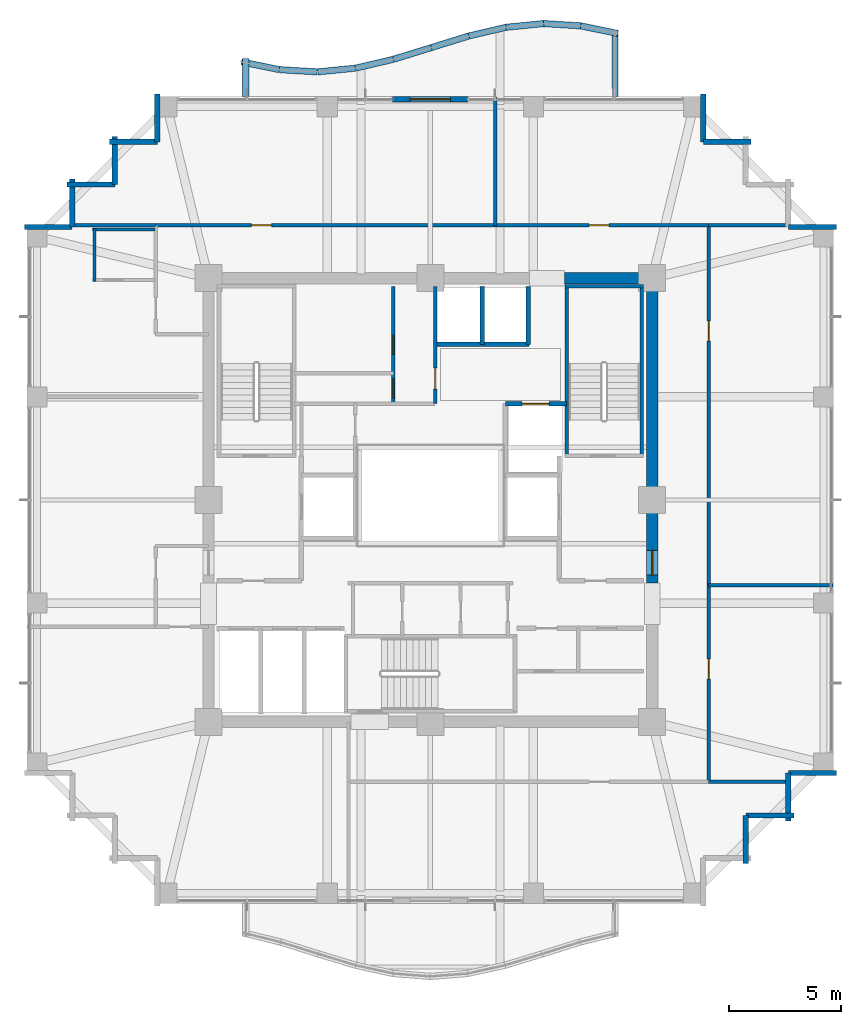
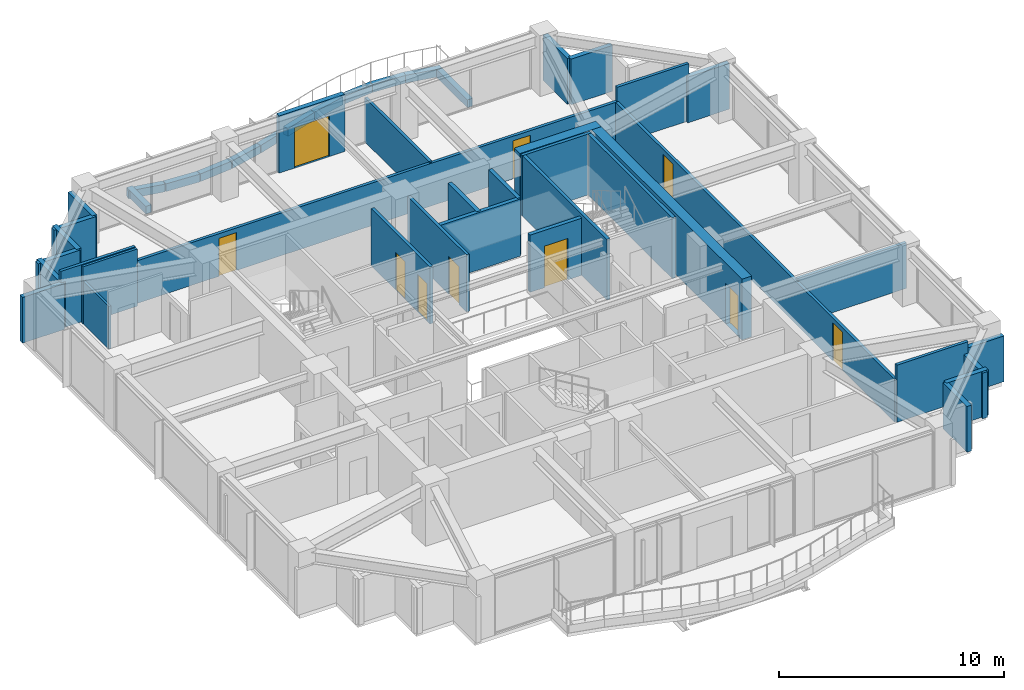
# One storey, part 28 of 31: 46 walls, 10 doors, 10 openings.
"""IFC4 building model written with IfcOpenShell, lengths in metres."""

from ifc_helpers import new_model, si_unit, direction, frame, frame_2d, origin, place, context, subcontext, project, spatial, rectangle, extrude, material, layer, layer_set, type_object, element, fill, save


model = new_model("IFC4")

# Units and contexts
model_context = context("Model", 3, precision=1e-05, world=origin(), true_north=direction((0.0, 1.0)))
body_context = subcontext(model_context, "Body", "Model", "MODEL_VIEW")
ifc_project = project(units=[si_unit("LENGTHUNIT", "METRE"), si_unit("AREAUNIT", "SQUARE_METRE"), si_unit("VOLUMEUNIT", "CUBIC_METRE"), si_unit("PLANEANGLEUNIT", "RADIAN"), si_unit("MASSUNIT", "GRAM", prefix="KILO")], contexts=[model_context])

# Site, building, storey
site_placement = place(None, origin())
site = spatial("IfcSite", under=ifc_project, at=site_placement, CompositionType="ELEMENT")
building_placement = place(site_placement, origin())
building = spatial("IfcBuilding", under=site, at=building_placement, Name="Kolvaren Belvedere", CompositionType="ELEMENT")
storey_placement = place(building_placement, frame((0.0, 0.0, 134.89990234375)))
storey = spatial("IfcBuildingStorey", under=building, at=storey_placement, Name="L39", CompositionType="ELEMENT", Elevation=134.89990234375)

# Wall
ifc_material_1 = material(Name="Concrete C50/60", Category="concrete")
ifc_layer_1 = layer(ifc_material_1, 0.5)
ifc_layer_set_1 = layer_set([ifc_layer_1], Name="Concrete C50/60")
wall_type_1 = type_object("IfcWallType", Name="CW-CORE-500", PredefinedType="SHEAR", material=ifc_layer_set_1)
wall_1_placement = place(storey_placement, frame((5.97998046875, 9.89990234375, 0.0), z_axis=(0.0, 0.0, 1.0), x_axis=(1.0, 0.0, 0.0)))
element("IfcWall", 1, at=wall_1_placement, inside=storey, type_object=wall_type_1, Name="L39 North Core Shear Wall 2", PredefinedType="SHEAR", context=body_context, shape_type="SweptSolid", body=[
    extrude(rectangle(XDim=4.169921875, YDim=0.5, at=frame_2d((2.0849609375, 0.0))), origin(), (0.0, 0.0, 1.0), 3.300048828125),
])

# Wall, opening, door
wall_2_placement = place(storey_placement, frame((9.89990234375, -3.699951171875, 0.0), z_axis=(0.0, 0.0, 1.0), x_axis=(0.0, 1.0, 0.0)))
wall_2 = element("IfcWall", 2, at=wall_2_placement, inside=storey, type_object=wall_type_1, Name="L39 East Core Shear Wall 2", PredefinedType="SHEAR", context=body_context, shape_type="SweptSolid", body=[
    extrude(rectangle(XDim=13.349853515625, YDim=0.5, at=frame_2d((6.6748046875, 0.0))), origin(), (0.0, 0.0, 1.0), 3.300048828125),
])
opening_1_placement = place(wall_2_placement, frame((0.35009765625, 0.0, 0.0)))
opening_1 = element("IfcOpeningElement", 3, at=opening_1_placement, cuts=wall_2, Name="Opening D-FD90", PredefinedType="OPENING", context=body_context, shape_type="SweptSolid", body=[
    extrude(rectangle(XDim=1.10009765625, YDim=2.199951171875, at=frame_2d((0.550048828125, 1.10009765625))), frame((0.0, 0.260009765625, 0.0), z_axis=(0.0, -1.0, 0.0), x_axis=(1.0, 0.0, 0.0)), (0.0, 0.0, 1.0), 0.52001953125),
])
ifc_material_2 = material(Name="Painted hollow stainless steel", Category="steel")
door_type_1 = type_object("IfcDoorType", Name="DR-FD90-1100", OperationType="NOTDEFINED", PredefinedType="DOOR", material=ifc_material_2)
door_1_placement = place(opening_1_placement, origin())
door_1 = element("IfcDoor", 4, at=door_1_placement, inside=storey, type_object=door_type_1, Name="L39 East Firefighting Lobby Fire Door", OperationType="SINGLE_SWING_RIGHT", OverallHeight=2.199951171875, OverallWidth=1.10009765625, PredefinedType="DOOR", context=body_context, shape_type="SweptSolid", body=[
    extrude(rectangle(XDim=1.10009765625, YDim=2.199951171875, at=frame_2d((0.550048828125, 1.10009765625))), frame((0.0, 0.02490234375, 0.0), z_axis=(0.0, -1.0, 0.0), x_axis=(1.0, 0.0, 0.0)), (0.0, 0.0, 1.0), 0.050048828125),
])
fill(opening_1, door_1)

# Walls
ifc_material_3 = material(Name="Concrete C50/60", Category="concrete")
ifc_layer_2 = layer(ifc_material_3, 0.159912109375)
ifc_layer_set_2 = layer_set([ifc_layer_2], Name="Concrete C50/60")
wall_type_2 = type_object("IfcWallType", Name="CW-STAIR-160", PredefinedType="SHEAR", material=ifc_layer_set_2)
wall_3_placement = place(storey_placement, frame((6.0, 9.530029296875, 0.0), z_axis=(0.0, 0.0, 1.0), x_axis=(1.0, 0.0, 0.0)))
element("IfcWall", 5, at=wall_3_placement, inside=storey, type_object=wall_type_2, Name="L39 Stair ST-2 North Shear Wall", PredefinedType="SHEAR", context=body_context, shape_type="SweptSolid", body=[
    extrude(rectangle(XDim=3.52001953125, YDim=0.159912109375, at=frame_2d((1.760009765625, 0.0))), origin(), (0.0, 0.0, 1.0), 3.300048828125),
])
for number, where, z_axis, x_axis, name in (
    (6, (6.080078125, 1.969970703125, 0.0), (0.0, 0.0, 1.0), (0.0, 1.0, 0.0), "L39 Stair ST-2 West Shear Wall"),
    (7, (9.429931640625, 1.969970703125, 0.0), (0.0, 0.0, 1.0), (0.0, 1.0, 0.0), "L39 Stair ST-2 East Shear Wall"),
):
    element("IfcWall", number, at=place(storey_placement, frame(where, z_axis=z_axis, x_axis=x_axis)), inside=storey, type_object=wall_type_2, Name=name, PredefinedType="SHEAR", context=body_context, shape_type="SweptSolid", body=[
        extrude(rectangle(XDim=7.56005859375, YDim=0.159912109375, at=frame_2d((3.780029296875, 0.0))), origin(), (0.0, 0.0, 1.0), 3.300048828125),
    ])

# Wall, openings, doors
ifc_material_4 = material(Name="Gypsum fire-rated partition assembly", Category="gypsum")
ifc_layer_3 = layer(ifc_material_4, 0.14990234375)
ifc_layer_set_3 = layer_set([ifc_layer_3], Name="Gypsum fire-rated partition assembly")
wall_type_3 = type_object("IfcWallType", Name="WL-CORR-150", PredefinedType="PARTITIONING", material=ifc_layer_set_3)
wall_4_placement = place(storey_placement, frame((-12.260009765625, 12.260009765625, 0.0), z_axis=(0.0, 0.0, 1.0), x_axis=(1.0, 0.0, 0.0)))
wall_4 = element("IfcWall", 8, at=wall_4_placement, inside=storey, type_object=wall_type_3, Name="L39 North Corridor Wall", PredefinedType="PARTITIONING", context=body_context, shape_type="SweptSolid", body=[
    extrude(rectangle(XDim=24.679931640625, YDim=0.14990234375, at=frame_2d((12.33984375, 0.0))), origin(), (0.0, 0.0, 1.0), 2.31201171875),
])
opening_2_placement = place(wall_4_placement, frame((4.27490234375, 0.0, 0.0)))
opening_2 = element("IfcOpeningElement", 9, at=opening_2_placement, cuts=wall_4, Name="Opening D-INT90", PredefinedType="OPENING", context=body_context, shape_type="SweptSolid", body=[
    extrude(rectangle(XDim=0.89990234375, YDim=2.06005859375, at=frame_2d((0.449951171875, 1.030029296875))), frame((0.0, 0.0849609375, 0.0), z_axis=(0.0, -1.0, 0.0), x_axis=(1.0, 0.0, 0.0)), (0.0, 0.0, 1.0), 0.169921875),
])
opening_3_placement = place(wall_4_placement, frame((19.344970703125, 0.0, 0.0)))
opening_3 = element("IfcOpeningElement", 10, at=opening_3_placement, cuts=wall_4, Name="Opening D-INT90", PredefinedType="OPENING", context=body_context, shape_type="SweptSolid", body=[
    extrude(rectangle(XDim=0.89990234375, YDim=2.06005859375, at=frame_2d((0.449951171875, 1.030029296875))), frame((0.0, 0.0849609375, 0.0), z_axis=(0.0, -1.0, 0.0), x_axis=(1.0, 0.0, 0.0)), (0.0, 0.0, 1.0), 0.169921875),
])
ifc_material_5 = material(Name="Stained Pacific white oak", Category="timber")
door_type_2 = type_object("IfcDoorType", Name="DR-INT-900", OperationType="NOTDEFINED", PredefinedType="DOOR", material=ifc_material_5)
door_2_placement = place(opening_2_placement, origin())
door_2 = element("IfcDoor", 11, at=door_2_placement, inside=storey, type_object=door_type_2, Name="L39 Lounge 3901 Door", OperationType="SINGLE_SWING_LEFT", OverallHeight=2.06005859375, OverallWidth=0.89990234375, PredefinedType="DOOR", context=body_context, shape_type="SweptSolid", body=[
    extrude(rectangle(XDim=0.89990234375, YDim=2.06005859375, at=frame_2d((0.449951171875, 1.030029296875))), frame((0.0, 0.02490234375, 0.0), z_axis=(0.0, -1.0, 0.0), x_axis=(1.0, 0.0, 0.0)), (0.0, 0.0, 1.0), 0.050048828125),
])
fill(opening_2, door_2)
door_3_placement = place(opening_3_placement, origin())
door_3 = element("IfcDoor", 12, at=door_3_placement, inside=storey, type_object=door_type_2, Name="L39 Guest Tea & Espresso Kitchen 3902 Door", OperationType="SINGLE_SWING_RIGHT", OverallHeight=2.06005859375, OverallWidth=0.89990234375, PredefinedType="DOOR", context=body_context, shape_type="SweptSolid", body=[
    extrude(rectangle(XDim=0.89990234375, YDim=2.06005859375, at=frame_2d((0.449951171875, 1.030029296875))), frame((0.0, 0.02490234375, 0.0), z_axis=(0.0, -1.0, 0.0), x_axis=(1.0, 0.0, 0.0)), (0.0, 0.0, 1.0), 0.050048828125),
])
fill(opening_3, door_3)

wall_5_placement = place(storey_placement, frame((12.419921875, -12.580078125, 0.0), z_axis=(0.0, 0.0, 1.0), x_axis=(0.0, 1.0, 0.0)))
wall_5 = element("IfcWall", 13, at=wall_5_placement, inside=storey, type_object=wall_type_3, Name="L39 East Corridor Wall", PredefinedType="PARTITIONING", context=body_context, shape_type="SweptSolid", body=[
    extrude(rectangle(XDim=24.840087890625, YDim=0.14990234375, at=frame_2d((12.419921875, 0.0))), origin(), (0.0, 0.0, 1.0), 2.31201171875),
])
opening_4_placement = place(wall_5_placement, frame((4.594970703125, 0.0, 0.0)))
opening_4 = element("IfcOpeningElement", 14, at=opening_4_placement, cuts=wall_5, Name="Opening D-INT90", PredefinedType="OPENING", context=body_context, shape_type="SweptSolid", body=[
    extrude(rectangle(XDim=0.89990234375, YDim=2.06005859375, at=frame_2d((0.449951171875, 1.030029296875))), frame((0.0, 0.0849609375, 0.0), z_axis=(0.0, -1.0, 0.0), x_axis=(1.0, 0.0, 0.0)), (0.0, 0.0, 1.0), 0.169921875),
])
opening_5_placement = place(wall_5_placement, frame((19.6650390625, 0.0, 0.0)))
opening_5 = element("IfcOpeningElement", 15, at=opening_5_placement, cuts=wall_5, Name="Opening D-INT90", PredefinedType="OPENING", context=body_context, shape_type="SweptSolid", body=[
    extrude(rectangle(XDim=0.89990234375, YDim=2.06005859375, at=frame_2d((0.449951171875, 1.030029296875))), frame((0.0, 0.0849609375, 0.0), z_axis=(0.0, -1.0, 0.0), x_axis=(1.0, 0.0, 0.0)), (0.0, 0.0, 1.0), 0.169921875),
])
door_4_placement = place(opening_4_placement, origin())
door_4 = element("IfcDoor", 16, at=door_4_placement, inside=storey, type_object=door_type_2, Name="L39 Private Hospitality Meeting Room 3903 Door", OperationType="SINGLE_SWING_LEFT", OverallHeight=2.06005859375, OverallWidth=0.89990234375, PredefinedType="DOOR", context=body_context, shape_type="SweptSolid", body=[
    extrude(rectangle(XDim=0.89990234375, YDim=2.06005859375, at=frame_2d((0.449951171875, 1.030029296875))), frame((0.0, 0.02490234375, 0.0), z_axis=(0.0, -1.0, 0.0), x_axis=(1.0, 0.0, 0.0)), (0.0, 0.0, 1.0), 0.050048828125),
])
fill(opening_4, door_4)
door_5_placement = place(opening_5_placement, origin())
door_5 = element("IfcDoor", 17, at=door_5_placement, inside=storey, type_object=door_type_2, Name="L39 Botanical Reading Salon 3904 Door", OperationType="SINGLE_SWING_RIGHT", OverallHeight=2.06005859375, OverallWidth=0.89990234375, PredefinedType="DOOR", context=body_context, shape_type="SweptSolid", body=[
    extrude(rectangle(XDim=0.89990234375, YDim=2.06005859375, at=frame_2d((0.449951171875, 1.030029296875))), frame((0.0, 0.02490234375, 0.0), z_axis=(0.0, -1.0, 0.0), x_axis=(1.0, 0.0, 0.0)), (0.0, 0.0, 1.0), 0.050048828125),
])
fill(opening_5, door_5)

# Walls
ifc_material_6 = material(Name="Insulated pale-metal facade wall assembly", Category="aluminium")
ifc_layer_4 = layer(ifc_material_6, 0.239990234375)
ifc_layer_set_4 = layer_set([ifc_layer_4], Name="Insulated pale-metal facade wall assembly")
wall_type_4 = type_object("IfcWallType", Name="WL-EXT-240", PredefinedType="STANDARD", material=ifc_layer_set_4)
for number, where, z_axis, x_axis, name in (
    (18, (14.080078125, -14.080078125, 0.0), (0.0, 0.0, 1.0), (0.0, -1.0, 0.0), "L39 Serrated Corner Facade Wall 4"),
    (19, (16.219970703125, -14.080078125, 0.0), (0.0, 0.0, 1.0), (-1.0, 0.0, 0.0), "L39 Serrated Corner Facade Wall 5"),
):
    element("IfcWall", number, at=place(storey_placement, frame(where, z_axis=z_axis, x_axis=x_axis)), inside=storey, type_object=wall_type_4, Name=name, PredefinedType="STANDARD", context=body_context, shape_type="SweptSolid", body=[
        extrude(rectangle(XDim=2.139892578125, YDim=0.239990234375, at=frame_2d((1.06982421875, 0.0))), origin(), (0.0, 0.0, 1.0), 2.47900390625),
    ])
for number, where, z_axis, x_axis, name in (
    (20, (15.97998046875, -12.179931640625, 0.0), (0.0, 0.0, 1.0), (0.0, -1.0, 0.0), "L39 Serrated Corner Facade Wall 6"),
    (21, (18.1201171875, -12.179931640625, 0.0), (0.0, 0.0, 1.0), (-1.0, 0.0, 0.0), "L39 Serrated Corner Facade Wall 7"),
    (22, (15.97998046875, 12.179931640625, 0.0), (0.0, 0.0, 1.0), (1.0, 0.0, 0.0), "L39 Serrated Corner Facade Wall 9"),
    (23, (12.179931640625, 15.97998046875, 0.0), (0.0, 0.0, 1.0), (1.0, 0.0, 0.0), "L39 Serrated Corner Facade Wall 13"),
    (24, (12.179931640625, 18.1201171875, 0.0), (0.0, 0.0, 1.0), (0.0, -1.0, 0.0), "L39 Serrated Corner Facade Wall 14"),
):
    element("IfcWall", number, at=place(storey_placement, frame(where, z_axis=z_axis, x_axis=x_axis)), inside=storey, type_object=wall_type_4, Name=name, PredefinedType="STANDARD", context=body_context, shape_type="SweptSolid", body=[
        extrude(rectangle(XDim=2.14013671875, YDim=0.239990234375, at=frame_2d((1.070068359375, 0.0))), origin(), (0.0, 0.0, 1.0), 2.47900390625),
    ])

# Wall, opening, door
wall_6_placement = place(storey_placement, frame((-1.679931640625, 17.8798828125, 0.0), z_axis=(0.0, 0.0, 1.0), x_axis=(1.0, 0.0, 0.0)))
wall_6 = element("IfcWall", 25, at=wall_6_placement, inside=storey, type_object=wall_type_4, Name="L39 North Terrace Portal Wall", PredefinedType="STANDARD", context=body_context, shape_type="SweptSolid", body=[
    extrude(rectangle(XDim=3.35986328125, YDim=0.239990234375, at=frame_2d((1.679931640625, 0.0))), origin(), (0.0, 0.0, 1.0), 3.10009765625),
])
opening_6_placement = place(wall_6_placement, frame((0.780029296875, 0.0, 0.0)))
opening_6 = element("IfcOpeningElement", 26, at=opening_6_placement, cuts=wall_6, Name="Opening DB-1800", PredefinedType="OPENING", context=body_context, shape_type="SweptSolid", body=[
    extrude(rectangle(XDim=1.800048828125, YDim=2.199951171875, at=frame_2d((0.89990234375, 1.10009765625))), frame((0.0, 0.1298828125, 0.0), z_axis=(0.0, -1.0, 0.0), x_axis=(1.0, 0.0, 0.0)), (0.0, 0.0, 1.0), 0.260009765625),
])
ifc_material_7 = material(Name="Thermally broken pale-metal aluminium & low-iron glass", Category="aluminium")
door_type_3 = type_object("IfcDoorType", Name="DR-BAL-1800", OperationType="DOUBLE_DOOR_SLIDING", PredefinedType="DOOR", material=ifc_material_7)
door_6_placement = place(opening_6_placement, origin())
door_6 = element("IfcDoor", 27, at=door_6_placement, inside=storey, type_object=door_type_3, Name="L39 North Planted Terrace Sliding Door", OperationType="DOUBLE_DOOR_SLIDING", OverallHeight=2.199951171875, OverallWidth=1.800048828125, PredefinedType="DOOR", context=body_context, shape_type="SweptSolid", body=[
    extrude(rectangle(XDim=1.800048828125, YDim=2.199951171875, at=frame_2d((0.89990234375, 1.10009765625))), frame((0.0, 0.02490234375, 0.0), z_axis=(0.0, -1.0, 0.0), x_axis=(1.0, 0.0, 0.0)), (0.0, 0.0, 1.0), 0.050048828125),
])
fill(opening_6, door_6)

# Walls
for number, where, z_axis, x_axis, name in (
    (28, (-12.179931640625, 15.97998046875, 0.0), (0.0, 0.0, 1.0), (0.0, 1.0, 0.0), "L39 Serrated Corner Facade Wall 16"),
    (29, (-14.320068359375, 15.97998046875, 0.0), (0.0, 0.0, 1.0), (1.0, 0.0, 0.0), "L39 Serrated Corner Facade Wall 17"),
):
    element("IfcWall", number, at=place(storey_placement, frame(where, z_axis=z_axis, x_axis=x_axis)), inside=storey, type_object=wall_type_4, Name=name, PredefinedType="STANDARD", context=body_context, shape_type="SweptSolid", body=[
        extrude(rectangle(XDim=2.14013671875, YDim=0.239990234375, at=frame_2d((1.070068359375, 0.0))), origin(), (0.0, 0.0, 1.0), 2.47900390625),
    ])
for number, where, z_axis, x_axis, name in (
    (30, (-14.080078125, 14.080078125, 0.0), (0.0, 0.0, 1.0), (0.0, 1.0, 0.0), "L39 Serrated Corner Facade Wall 18"),
    (31, (-16.219970703125, 14.080078125, 0.0), (0.0, 0.0, 1.0), (1.0, 0.0, 0.0), "L39 Serrated Corner Facade Wall 19"),
):
    element("IfcWall", number, at=place(storey_placement, frame(where, z_axis=z_axis, x_axis=x_axis)), inside=storey, type_object=wall_type_4, Name=name, PredefinedType="STANDARD", context=body_context, shape_type="SweptSolid", body=[
        extrude(rectangle(XDim=2.139892578125, YDim=0.239990234375, at=frame_2d((1.06982421875, 0.0))), origin(), (0.0, 0.0, 1.0), 2.47900390625),
    ])
for number, where, z_axis, x_axis, name in (
    (32, (-15.97998046875, 12.179931640625, 0.0), (0.0, 0.0, 1.0), (0.0, 1.0, 0.0), "L39 Serrated Corner Facade Wall 20"),
    (33, (-18.1201171875, 12.179931640625, 0.0), (0.0, 0.0, 1.0), (1.0, 0.0, 0.0), "L39 Serrated Corner Facade Wall 21"),
):
    element("IfcWall", number, at=place(storey_placement, frame(where, z_axis=z_axis, x_axis=x_axis)), inside=storey, type_object=wall_type_4, Name=name, PredefinedType="STANDARD", context=body_context, shape_type="SweptSolid", body=[
        extrude(rectangle(XDim=2.14013671875, YDim=0.239990234375, at=frame_2d((1.070068359375, 0.0))), origin(), (0.0, 0.0, 1.0), 2.47900390625),
    ])

# Wall, opening, door
ifc_material_8 = material(Name="Gypsum acoustic partition assembly", Category="gypsum")
ifc_layer_5 = layer(ifc_material_8, 0.14990234375)
ifc_layer_set_5 = layer_set([ifc_layer_5], Name="Gypsum acoustic partition assembly")
wall_type_5 = type_object("IfcWallType", Name="WL-PART-150", PredefinedType="PARTITIONING", material=ifc_layer_set_5)
wall_7_placement = place(storey_placement, frame((0.219970703125, 4.300048828125, 0.0), z_axis=(0.0, 0.0, 1.0), x_axis=(0.0, 1.0, 0.0)))
wall_7 = element("IfcWall", 34, at=wall_7_placement, inside=storey, type_object=wall_type_5, Name="L39 Reclaimed Salon East Wall", PredefinedType="PARTITIONING", context=body_context, shape_type="SweptSolid", body=[
    extrude(rectangle(XDim=5.219970703125, YDim=0.14990234375, at=frame_2d((2.60986328125, 0.0))), origin(), (0.0, 0.0, 1.0), 3.10009765625),
])
opening_7_placement = place(wall_7_placement, frame((0.64990234375, 0.0, 0.0)))
opening_7 = element("IfcOpeningElement", 35, at=opening_7_placement, cuts=wall_7, Name="Opening D-INT95", PredefinedType="OPENING", context=body_context, shape_type="SweptSolid", body=[
    extrude(rectangle(XDim=0.949951171875, YDim=2.06005859375, at=frame_2d((0.47509765625, 1.030029296875))), frame((0.0, 0.0849609375, 0.0), z_axis=(0.0, -1.0, 0.0), x_axis=(1.0, 0.0, 0.0)), (0.0, 0.0, 1.0), 0.169921875),
])
ifc_material_9 = material(Name="Stained Pacific white oak", Category="timber")
door_type_4 = type_object("IfcDoorType", Name="DR-INT-950", OperationType="NOTDEFINED", PredefinedType="DOOR", material=ifc_material_9)
door_7_placement = place(opening_7_placement, origin())
door_7 = element("IfcDoor", 36, at=door_7_placement, inside=storey, type_object=door_type_4, Name="L39 Wellness Tearoom Door", OperationType="SINGLE_SWING_LEFT", OverallHeight=2.06005859375, OverallWidth=0.949951171875, PredefinedType="DOOR", context=body_context, shape_type="SweptSolid", body=[
    extrude(rectangle(XDim=0.949951171875, YDim=2.06005859375, at=frame_2d((0.47509765625, 1.030029296875))), frame((0.0, 0.02490234375, 0.0), z_axis=(0.0, -1.0, 0.0), x_axis=(1.0, 0.0, 0.0)), (0.0, 0.0, 1.0), 0.050048828125),
])
fill(opening_7, door_7)

# Wall, openings, doors
wall_8_placement = place(storey_placement, frame((-1.64990234375, 4.300048828125, 0.0), z_axis=(0.0, 0.0, 1.0), x_axis=(0.0, 1.0, 0.0)))
wall_8 = element("IfcWall", 37, at=wall_8_placement, inside=storey, type_object=wall_type_5, Name="L39 Reclaimed Tearoom V-Divider", PredefinedType="PARTITIONING", context=body_context, shape_type="SweptSolid", body=[
    extrude(rectangle(XDim=5.219970703125, YDim=0.14990234375, at=frame_2d((2.60986328125, 0.0))), origin(), (0.0, 0.0, 1.0), 3.10009765625),
])
opening_8_placement = place(wall_8_placement, frame((2.199951171875, 0.0, 0.0)))
opening_8 = element("IfcOpeningElement", 38, at=opening_8_placement, cuts=wall_8, Name="Opening D-INT85", PredefinedType="OPENING", context=body_context, shape_type="SweptSolid", body=[
    extrude(rectangle(XDim=0.85009765625, YDim=2.030029296875, at=frame_2d((0.425048828125, 1.01513671875))), frame((0.0, 0.0849609375, 0.0), z_axis=(0.0, -1.0, 0.0), x_axis=(1.0, 0.0, 0.0)), (0.0, 0.0, 1.0), 0.169921875),
])
opening_9_placement = place(wall_8_placement, frame((0.25, 0.0, 0.0)))
opening_9 = element("IfcOpeningElement", 39, at=opening_9_placement, cuts=wall_8, Name="Opening D-INT85", PredefinedType="OPENING", context=body_context, shape_type="SweptSolid", body=[
    extrude(rectangle(XDim=0.85009765625, YDim=2.030029296875, at=frame_2d((0.425048828125, 1.01513671875))), frame((0.0, 0.0849609375, 0.0), z_axis=(0.0, -1.0, 0.0), x_axis=(1.0, 0.0, 0.0)), (0.0, 0.0, 1.0), 0.169921875),
])
ifc_material_10 = material(Name="Stained Pacific white oak", Category="timber")
door_type_5 = type_object("IfcDoorType", Name="DR-INT-850", OperationType="NOTDEFINED", PredefinedType="DOOR", material=ifc_material_10)
door_8_placement = place(opening_8_placement, origin())
door_8 = element("IfcDoor", 40, at=door_8_placement, inside=storey, type_object=door_type_5, Name="L39 Meditation Room Door", OperationType="SINGLE_SWING_RIGHT", OverallHeight=2.030029296875, OverallWidth=0.85009765625, PredefinedType="DOOR", context=body_context, shape_type="SweptSolid", body=[
    extrude(rectangle(XDim=0.85009765625, YDim=2.030029296875, at=frame_2d((0.425048828125, 1.01513671875))), frame((0.0, 0.02490234375, 0.0), z_axis=(0.0, -1.0, 0.0), x_axis=(1.0, 0.0, 0.0)), (0.0, 0.0, 1.0), 0.050048828125),
])
fill(opening_8, door_8)
door_9_placement = place(opening_9_placement, origin())
door_9 = element("IfcDoor", 41, at=door_9_placement, inside=storey, type_object=door_type_5, Name="L39 Herbal Closet Door", OperationType="SINGLE_SWING_RIGHT", OverallHeight=2.030029296875, OverallWidth=0.85009765625, PredefinedType="DOOR", context=body_context, shape_type="SweptSolid", body=[
    extrude(rectangle(XDim=0.85009765625, YDim=2.030029296875, at=frame_2d((0.425048828125, 1.01513671875))), frame((0.0, 0.02490234375, 0.0), z_axis=(0.0, -1.0, 0.0), x_axis=(1.0, 0.0, 0.0)), (0.0, 0.0, 1.0), 0.050048828125),
])
fill(opening_9, door_9)

# Walls
wall_9_placement = place(storey_placement, frame((12.419921875, -12.580078125, 0.0), z_axis=(0.0, 0.0, 1.0), x_axis=(1.0, 0.0, 0.0)))
element("IfcWall", 42, at=wall_9_placement, inside=storey, type_object=wall_type_5, Name="L39 Wing Divider PW-L39-QSE", PredefinedType="PARTITIONING", context=body_context, shape_type="SweptSolid", body=[
    extrude(rectangle(XDim=3.66015625, YDim=0.14990234375, at=frame_2d((1.830078125, 0.0))), origin(), (0.0, 0.0, 1.0), 3.10009765625),
])
wall_10_placement = place(storey_placement, frame((-16.09619140625, 12.260009765625, 0.0), z_axis=(0.0, 0.0, 1.0), x_axis=(1.0, 0.0, 0.0)))
element("IfcWall", 43, at=wall_10_placement, inside=storey, type_object=wall_type_5, Name="L39 Wing Divider PW-L39-QNW", PredefinedType="PARTITIONING", context=body_context, shape_type="SweptSolid", body=[
    extrude(rectangle(XDim=3.836181640625, YDim=0.14990234375, at=frame_2d((1.91796875, 0.0))), origin(), (0.0, 0.0, 1.0), 3.10009765625),
])
wall_11_placement = place(storey_placement, frame((12.419921875, 12.260009765625, 0.0), z_axis=(0.0, 0.0, 1.0), x_axis=(1.0, 0.0, 0.0)))
element("IfcWall", 44, at=wall_11_placement, inside=storey, type_object=wall_type_5, Name="L39 Wing Divider PW-L39-QNE", PredefinedType="PARTITIONING", context=body_context, shape_type="SweptSolid", body=[
    extrude(rectangle(XDim=3.67626953125, YDim=0.14990234375, at=frame_2d((1.838134765625, 0.0))), origin(), (0.0, 0.0, 1.0), 3.10009765625),
])
wall_12_placement = place(storey_placement, frame((2.89990234375, 12.260009765625, 0.0), z_axis=(0.0, 0.0, 1.0), x_axis=(0.0, 1.0, 0.0)))
element("IfcWall", 45, at=wall_12_placement, inside=storey, type_object=wall_type_5, Name="L39 North Suite Demising Wall 1", PredefinedType="PARTITIONING", context=body_context, shape_type="SweptSolid", body=[
    extrude(rectangle(XDim=5.719970703125, YDim=0.14990234375, at=frame_2d((2.85986328125, 0.0))), origin(), (0.0, 0.0, 1.0), 2.38916015625),
])
wall_13_placement = place(storey_placement, frame((12.419921875, -3.800048828125, 0.0), z_axis=(0.0, 0.0, 1.0), x_axis=(1.0, 0.0, 0.0)))
element("IfcWall", 46, at=wall_13_placement, inside=storey, type_object=wall_type_5, Name="L39 East Suite Demising Wall 1", PredefinedType="PARTITIONING", context=body_context, shape_type="SweptSolid", body=[
    extrude(rectangle(XDim=5.56005859375, YDim=0.14990234375, at=frame_2d((2.780029296875, 0.0))), origin(), (0.0, 0.0, 1.0), 2.468994140625),
])
ifc_material_11 = material(Name="Precast concrete C40/50", Category="concrete")
ifc_layer_6 = layer(ifc_material_11, 0.300048828125)
ifc_layer_set_6 = layer_set([ifc_layer_6], Name="Precast concrete C40/50")
wall_type_6 = type_object("IfcWallType", Name="WL-PLANTER-300", PredefinedType="PARAPET", material=ifc_layer_set_6)
wall_14_placement = place(storey_placement, frame((8.239990234375, 18.0, -0.02001953125), z_axis=(0.0, 0.0, 1.0), x_axis=(0.0, 1.0, 0.0)))
element("IfcWall", 47, at=wall_14_placement, inside=storey, type_object=wall_type_6, Name="L39 Precast Structural Planter Wall BAL-N-11", PredefinedType="PARAPET", context=body_context, shape_type="SweptSolid", body=[
    extrude(rectangle(XDim=2.974853515625, YDim=0.280029296875, at=frame_2d((1.4873046875, 0.0))), origin(), (0.0, 0.0, 1.0), 0.420166015625),
])
wall_15_placement = place(storey_placement, frame((8.367919921875, 20.818115234375, -0.02001953125), z_axis=(0.0, 0.0, 1.0), x_axis=(-0.979867779516, 0.199647526069, 0.0)))
element("IfcWall", 48, at=wall_15_placement, inside=storey, type_object=wall_type_6, Name="L39 Precast Structural Planter Wall BAL-N-12", PredefinedType="PARAPET", context=body_context, shape_type="SweptSolid", body=[
    extrude(rectangle(XDim=1.71435546875, YDim=0.280029296875, at=frame_2d((0.857177734375, 0.0))), origin(), (0.0, 0.0, 1.0), 0.420166015625),
])
wall_16_placement = place(storey_placement, frame((6.710205078125, 21.157470703125, -0.02001953125), z_axis=(0.0, 0.0, 1.0), x_axis=(-0.998133560666, 0.061068773295, 0.0)))
element("IfcWall", 49, at=wall_16_placement, inside=storey, type_object=wall_type_6, Name="L39 Precast Structural Planter Wall BAL-N-13", PredefinedType="PARAPET", context=body_context, shape_type="SweptSolid", body=[
    extrude(rectangle(XDim=1.68310546875, YDim=0.280029296875, at=frame_2d((0.841552734375, 0.0))), origin(), (0.0, 0.0, 1.0), 0.420166015625),
])
wall_17_placement = place(storey_placement, frame((5.055908203125, 21.2607421875, -0.02001953125), z_axis=(0.0, 0.0, 1.0), x_axis=(-0.995038621856, -0.099489401517, 0.0)))
element("IfcWall", 50, at=wall_17_placement, inside=storey, type_object=wall_type_6, Name="L39 Precast Structural Planter Wall BAL-N-14", PredefinedType="PARAPET", context=body_context, shape_type="SweptSolid", body=[
    extrude(rectangle(XDim=1.688232421875, YDim=0.280029296875, at=frame_2d((0.84423828125, 0.0))), origin(), (0.0, 0.0, 1.0), 0.420166015625),
])
wall_18_placement = place(storey_placement, frame((3.396240234375, 21.09619140625, -0.02001953125), z_axis=(0.0, 0.0, 1.0), x_axis=(-0.973890253884, -0.227019323824, 0.0)))
element("IfcWall", 51, at=wall_18_placement, inside=storey, type_object=wall_type_6, Name="L39 Precast Structural Planter Wall BAL-N-15", PredefinedType="PARAPET", context=body_context, shape_type="SweptSolid", body=[
    extrude(rectangle(XDim=1.724853515625, YDim=0.280029296875, at=frame_2d((0.8623046875, 0.0))), origin(), (0.0, 0.0, 1.0), 0.420166015625),
])
wall_19_placement = place(storey_placement, frame((1.727294921875, 20.70751953125, -0.02001953125), z_axis=(0.0, 0.0, 1.0), x_axis=(-0.95524013163, -0.295831524561, 0.0)))
element("IfcWall", 52, at=wall_19_placement, inside=storey, type_object=wall_type_6, Name="L39 Precast Structural Planter Wall BAL-N-16", PredefinedType="PARAPET", context=body_context, shape_type="SweptSolid", body=[
    extrude(rectangle(XDim=1.758544921875, YDim=0.280029296875, at=frame_2d((0.87939453125, 0.0))), origin(), (0.0, 0.0, 1.0), 0.420166015625),
])
wall_20_placement = place(storey_placement, frame((0.04736328125, 20.187255859375, -0.02001953125), z_axis=(0.0, 0.0, 1.0), x_axis=(-0.955252278476, -0.29579229954, 0.0)))
element("IfcWall", 53, at=wall_20_placement, inside=storey, type_object=wall_type_6, Name="L39 Precast Structural Planter Wall BAL-N-17", PredefinedType="PARAPET", context=body_context, shape_type="SweptSolid", body=[
    extrude(rectangle(XDim=1.7587890625, YDim=0.280029296875, at=frame_2d((0.87939453125, 0.0))), origin(), (0.0, 0.0, 1.0), 0.420166015625),
])
wall_21_placement = place(storey_placement, frame((-1.643798828125, 19.663818359375, -0.02001953125), z_axis=(0.0, 0.0, 1.0), x_axis=(-0.973890253884, -0.227019323824, 0.0)))
element("IfcWall", 54, at=wall_21_placement, inside=storey, type_object=wall_type_6, Name="L39 Precast Structural Planter Wall BAL-N-18", PredefinedType="PARAPET", context=body_context, shape_type="SweptSolid", body=[
    extrude(rectangle(XDim=1.724853515625, YDim=0.280029296875, at=frame_2d((0.8623046875, 0.0))), origin(), (0.0, 0.0, 1.0), 0.420166015625),
])
wall_22_placement = place(storey_placement, frame((-3.34423828125, 19.268798828125, -0.02001953125), z_axis=(0.0, 0.0, 1.0), x_axis=(-0.995153897624, -0.098329649867, 0.0)))
element("IfcWall", 55, at=wall_22_placement, inside=storey, type_object=wall_type_6, Name="L39 Precast Structural Planter Wall BAL-N-19", PredefinedType="PARAPET", context=body_context, shape_type="SweptSolid", body=[
    extrude(rectangle(XDim=1.6884765625, YDim=0.280029296875, at=frame_2d((0.84423828125, 0.0))), origin(), (0.0, 0.0, 1.0), 0.420166015625),
])
wall_23_placement = place(storey_placement, frame((-5.049560546875, 19.102294921875, -0.02001953125), z_axis=(0.0, 0.0, 1.0), x_axis=(-0.998203631072, 0.059912527196, 0.0)))
element("IfcWall", 56, at=wall_23_placement, inside=storey, type_object=wall_type_6, Name="L39 Precast Structural Planter Wall BAL-N-20", PredefinedType="PARAPET", context=body_context, shape_type="SweptSolid", body=[
    extrude(rectangle(XDim=1.682861328125, YDim=0.280029296875, at=frame_2d((0.84130859375, 0.0))), origin(), (0.0, 0.0, 1.0), 0.420166015625),
])
wall_24_placement = place(storey_placement, frame((-6.751953125, 19.2060546875, -0.02001953125), z_axis=(0.0, 0.0, 1.0), x_axis=(-0.979867779516, 0.199647526069, 0.0)))
element("IfcWall", 57, at=wall_24_placement, inside=storey, type_object=wall_type_6, Name="L39 Precast Structural Planter Wall BAL-N-21", PredefinedType="PARAPET", context=body_context, shape_type="SweptSolid", body=[
    extrude(rectangle(XDim=1.71435546875, YDim=0.280029296875, at=frame_2d((0.857177734375, 0.0))), origin(), (0.0, 0.0, 1.0), 0.420166015625),
])
wall_25_placement = place(storey_placement, frame((-8.239990234375, 19.705078125, -0.02001953125), z_axis=(0.0, 0.0, 1.0), x_axis=(0.0, -1.0, 0.0)))
element("IfcWall", 58, at=wall_25_placement, inside=storey, type_object=wall_type_6, Name="L39 Precast Structural Planter Wall BAL-N-22", PredefinedType="PARAPET", context=body_context, shape_type="SweptSolid", body=[
    extrude(rectangle(XDim=1.705078125, YDim=0.280029296875, at=frame_2d((0.8525390625, 0.0))), origin(), (0.0, 0.0, 1.0), 0.420166015625),
])

# Wall, opening, door
ifc_material_12 = material(Name="Concrete C50/60", Category="concrete")
ifc_layer_7 = layer(ifc_material_12, 0.199951171875)
ifc_layer_set_7 = layer_set([ifc_layer_7], Name="Concrete C50/60")
wall_type_7 = type_object("IfcWallType", Name="WL-SHAFT-200", PredefinedType="SOLIDWALL", material=ifc_layer_set_7)
wall_26_placement = place(storey_placement, frame((3.35009765625, 4.300048828125, 0.0), z_axis=(0.0, 0.0, 1.0), x_axis=(1.0, 0.0, 0.0)))
wall_26 = element("IfcWall", 59, at=wall_26_placement, inside=storey, type_object=wall_type_7, Name="L39 Service Lift SV1 Front Wall", PredefinedType="SOLIDWALL", context=body_context, shape_type="SweptSolid", body=[
    extrude(rectangle(XDim=2.72998046875, YDim=0.199951171875, at=frame_2d((1.364990234375, 0.0))), origin(), (0.0, 0.0, 1.0), 3.10009765625),
])
opening_10_placement = place(wall_26_placement, frame((0.75, 0.0, 0.0)))
opening_10 = element("IfcOpeningElement", 60, at=opening_10_placement, cuts=wall_26, Name="Opening LD-12", PredefinedType="OPENING", context=body_context, shape_type="SweptSolid", body=[
    extrude(rectangle(XDim=1.199951171875, YDim=2.25, at=frame_2d((0.60009765625, 1.125))), frame((0.0, 0.10986328125, 0.0), z_axis=(0.0, -1.0, 0.0), x_axis=(1.0, 0.0, 0.0)), (0.0, 0.0, 1.0), 0.219970703125),
])
ifc_material_13 = material(Name="Brushed stainless steel", Category="steel")
door_type_6 = type_object("IfcDoorType", Name="DR-LIFT-1200", OperationType="DOUBLE_DOOR_SLIDING", PredefinedType="DOOR", material=ifc_material_13)
door_10_placement = place(opening_10_placement, origin())
door_10 = element("IfcDoor", 61, at=door_10_placement, inside=storey, type_object=door_type_6, Name="L39 Service Lift SV1 Landing Door", OperationType="DOUBLE_DOOR_SLIDING", OverallHeight=2.25, OverallWidth=1.199951171875, PredefinedType="DOOR", context=body_context, shape_type="SweptSolid", body=[
    extrude(rectangle(XDim=1.199951171875, YDim=2.25, at=frame_2d((0.60009765625, 1.125))), frame((0.0, 0.02490234375, 0.0), z_axis=(0.0, -1.0, 0.0), x_axis=(1.0, 0.0, 0.0)), (0.0, 0.0, 1.0), 0.050048828125),
])
fill(opening_10, door_10)

# Walls
wall_27_placement = place(storey_placement, frame((0.219970703125, 6.949951171875, 0.0), z_axis=(0.0, 0.0, 1.0), x_axis=(1.0, 0.0, 0.0)))
element("IfcWall", 62, at=wall_27_placement, inside=storey, type_object=wall_type_7, Name="L39 Express Shuttle Hoistway Wall", PredefinedType="SOLIDWALL", context=body_context, shape_type="SweptSolid", body=[
    extrude(rectangle(XDim=4.179931640625, YDim=0.199951171875, at=frame_2d((2.08984375, 0.0))), origin(), (0.0, 0.0, 1.0), 3.10009765625),
])
for number, where, z_axis, x_axis, name in (
    (63, (4.3798828125, 6.949951171875, 0.0), (0.0, 0.0, 1.0), (0.0, 1.0, 0.0), "L39 Express Shuttle East Wall"),
    (64, (2.31005859375, 6.949951171875, 0.0), (0.0, 0.0, 1.0), (0.0, 1.0, 0.0), "L39 Express Shuttle Divider"),
):
    element("IfcWall", number, at=place(storey_placement, frame(where, z_axis=z_axis, x_axis=x_axis)), inside=storey, type_object=wall_type_7, Name=name, PredefinedType="SOLIDWALL", context=body_context, shape_type="SweptSolid", body=[
        extrude(rectangle(XDim=2.570068359375, YDim=0.199951171875, at=frame_2d((1.28515625, 0.0))), origin(), (0.0, 0.0, 1.0), 3.10009765625),
    ])
ifc_material_14 = material(Name="Moisture-resistant gypsum partition", Category="gypsum")
ifc_layer_8 = layer(ifc_material_14, 0.125)
ifc_layer_set_8 = layer_set([ifc_layer_8], Name="Moisture-resistant gypsum partition")
wall_type_8 = type_object("IfcWallType", Name="WL-WET-125", PredefinedType="PARTITIONING", material=ifc_layer_set_8)
wall_28_placement = place(storey_placement, frame((-14.985107421875, 9.7548828125, 0.0), z_axis=(0.0, 0.0, 1.0), x_axis=(0.0, 1.0, 0.0)))
element("IfcWall", 65, at=wall_28_placement, inside=storey, type_object=wall_type_8, Name="L39 Bathroom Partition PW-L39-BTH-5-V", PredefinedType="PARTITIONING", context=body_context, shape_type="SweptSolid", body=[
    extrude(rectangle(XDim=2.3701171875, YDim=0.125, at=frame_2d((1.18505859375, 0.0))), origin(), (0.0, 0.0, 1.0), 2.31201171875),
])
wall_29_placement = place(storey_placement, frame((-15.06494140625, 12.06494140625, 0.0), z_axis=(0.0, 0.0, 1.0), x_axis=(1.0, 0.0, 0.0)))
element("IfcWall", 66, at=wall_29_placement, inside=storey, type_object=wall_type_8, Name="L39 Bathroom Partition PW-L39-BTH-5-S", PredefinedType="PARTITIONING", context=body_context, shape_type="SweptSolid", body=[
    extrude(rectangle(XDim=2.7900390625, YDim=0.125, at=frame_2d((1.39501953125, 0.0))), origin(), (0.0, 0.0, 1.0), 3.10009765625),
])

save(model, "model.ifc")
